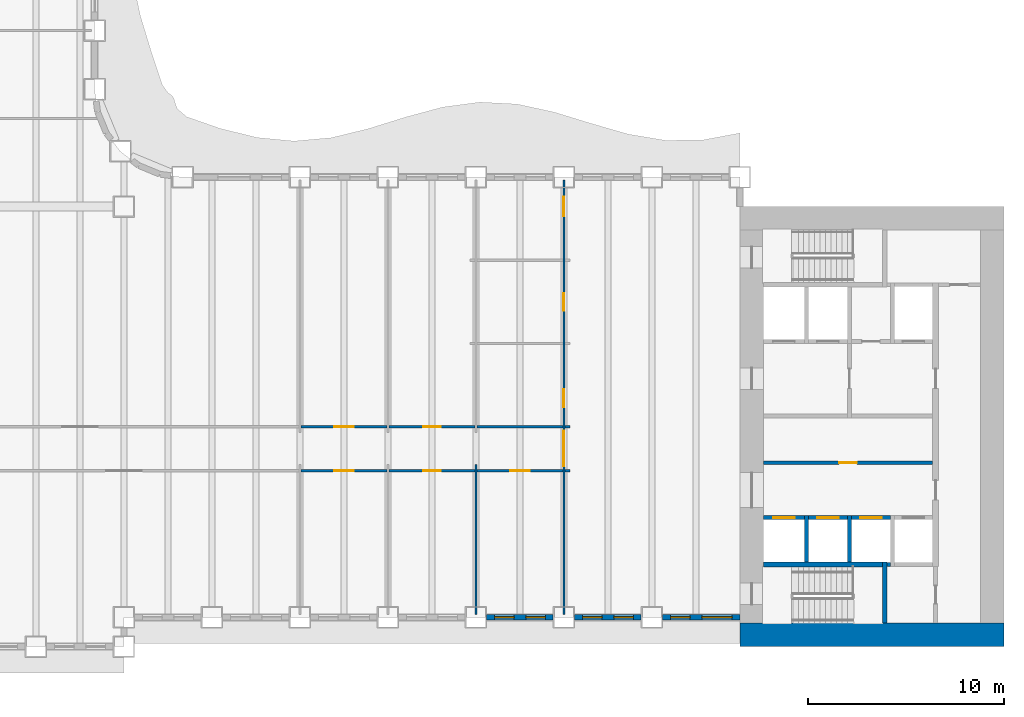
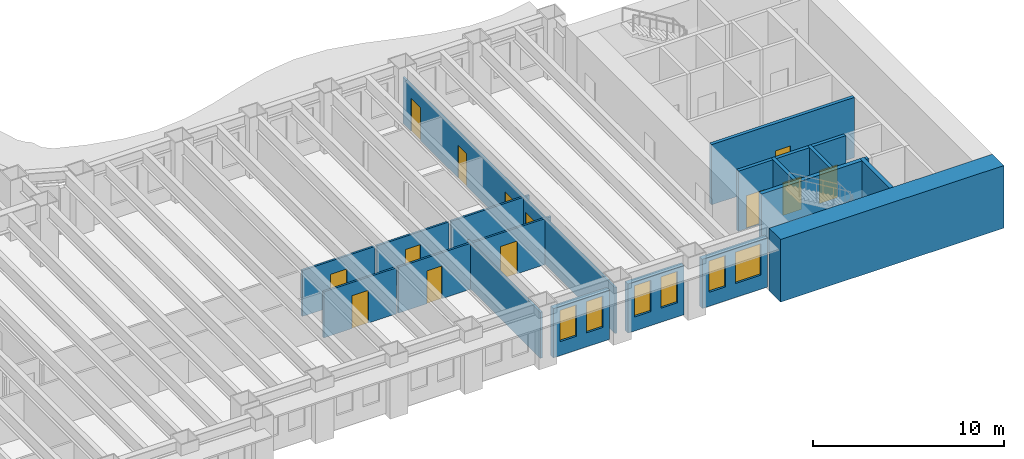
# One storey, part 5 of 15: 23 walls, 13 doors, 6 windows, 19 openings.
"""IFC4 building model written with IfcOpenShell, lengths in metres."""

from ifc_helpers import new_model, si_unit, direction, frame, frame_2d, origin, place, context, subcontext, project, spatial, rectangle, extrude, material, layer, layer_set, type_object, element, fill, save


model = new_model("IFC4")

# Units and contexts
model_context = context("Model", 3, precision=1e-05, world=origin(), true_north=direction((0.0, 1.0)))
body_context = subcontext(model_context, "Body", "Model", "MODEL_VIEW")
ifc_project = project(units=[si_unit("LENGTHUNIT", "METRE"), si_unit("AREAUNIT", "SQUARE_METRE"), si_unit("VOLUMEUNIT", "CUBIC_METRE"), si_unit("PLANEANGLEUNIT", "RADIAN"), si_unit("MASSUNIT", "GRAM", prefix="KILO")], contexts=[model_context])

# Site, building, storey
site_placement = place(None, origin())
site = spatial("IfcSite", under=ifc_project, at=site_placement, CompositionType="ELEMENT")
building_placement = place(site_placement, origin())
building = spatial("IfcBuilding", under=site, at=building_placement, Name="Sennacour Bend Tower", CompositionType="ELEMENT")
storey_placement = place(building_placement, frame((0.0, 0.0, 61.0)))
storey = spatial("IfcBuildingStorey", under=building, at=storey_placement, Name="L13", CompositionType="ELEMENT", Elevation=61.0)

# Walls
ifc_material_1 = material(Name="Concrete C80/95", Category="concrete")
ifc_layer_1 = layer(ifc_material_1, 1.199951171875, Name="Concrete C80/95", Category="concrete")
ifc_layer_set_1 = layer_set([ifc_layer_1], Name="Concrete C80/95")
wall_type_1 = type_object("IfcWallType", Name="Core wall 1200 C80/95", PredefinedType="SHEAR", material=ifc_layer_set_1)
wall_1_placement = place(storey_placement, frame((67.5, 0.60009765625, -0.14990234375), z_axis=(0.0, 0.0, 1.0), x_axis=(-1.0, 0.0, 0.0)))
element("IfcWall", 1, at=wall_1_placement, inside=storey, type_object=wall_type_1, Name="Core A wall L13 S", PredefinedType="SHEAR", context=body_context, shape_type="SweptSolid", body=[
    extrude(rectangle(XDim=13.5, YDim=1.199951171875, at=frame_2d((6.75, 0.0))), origin(), (0.0, 0.0, 1.0), 4.0),
])
ifc_material_2 = material(Name="Plasterboard partition on steel studs", Category="steel")
ifc_layer_2 = layer(ifc_material_2, 0.1201171875, Name="Plasterboard partition on steel studs", Category="steel")
ifc_layer_set_2 = layer_set([ifc_layer_2], Name="Plasterboard partition on steel studs")
wall_type_2 = type_object("IfcWallType", Name="Partition 120", PredefinedType="PARTITIONING", material=ifc_layer_set_2)
wall_2_placement = place(storey_placement, frame((40.5, 1.64990234375, 0.0), z_axis=(0.0, 0.0, 1.0), x_axis=(0.0, 1.0, 0.0)))
element("IfcWall", 2, at=wall_2_placement, inside=storey, type_object=wall_type_2, Name="P-L13-W027a", PredefinedType="PARTITIONING", context=body_context, shape_type="SweptSolid", body=[
    extrude(rectangle(XDim=7.650146484375, YDim=0.1201171875, at=frame_2d((3.8251953125, 0.0))), origin(), (0.0, 0.0, 1.0), 2.93798828125),
])

# Wall, opening, door
wall_3_placement = place(storey_placement, frame((31.56005859375, 9.0, 0.0), z_axis=(0.0, 0.0, 1.0), x_axis=(1.0, 0.0, 0.0)))
wall_3 = element("IfcWall", 3, at=wall_3_placement, inside=storey, type_object=wall_type_2, Name="P-L13-W051ac", PredefinedType="PARTITIONING", context=body_context, shape_type="SweptSolid", body=[
    extrude(rectangle(XDim=4.3798828125, YDim=0.1201171875, at=frame_2d((2.18994140625, 0.0))), origin(), (0.0, 0.0, 1.0), 2.93798828125),
])
opening_1_placement = place(wall_3_placement, frame((1.68994140625, 0.0, 0.0)))
opening_1 = element("IfcOpeningElement", 4, at=opening_1_placement, cuts=wall_3, Name="Opening MD2", PredefinedType="OPENING", context=body_context, shape_type="SweptSolid", body=[
    extrude(rectangle(XDim=1.0, YDim=2.10009765625, at=frame_2d((0.5, 1.050048828125))), frame((0.0, 0.070068359375, 0.0), z_axis=(0.0, -1.0, 0.0), x_axis=(1.0, 0.0, 0.0)), (0.0, 0.0, 1.0), 0.14013671875),
])
ifc_material_3 = material(Name="Timber", Category="wood")
door_type_1 = type_object("IfcDoorType", Name="DR-MEETING-1000", OperationType="NOTDEFINED", PredefinedType="DOOR", material=ifc_material_3)
door_1_placement = place(opening_1_placement, origin())
door_1 = element("IfcDoor", 5, at=door_1_placement, inside=storey, type_object=door_type_1, Name="Door", OperationType="SINGLE_SWING_LEFT", OverallHeight=2.10009765625, OverallWidth=1.0, PredefinedType="DOOR", context=body_context, shape_type="SweptSolid", body=[
    extrude(rectangle(XDim=1.0, YDim=2.10009765625, at=frame_2d((0.5, 1.050048828125))), frame((0.0, 0.02490234375, 0.0), z_axis=(0.0, -1.0, 0.0), x_axis=(1.0, 0.0, 0.0)), (0.0, 0.0, 1.0), 0.050048828125),
])
fill(opening_1, door_1)

wall_4_placement = place(storey_placement, frame((40.56005859375, 9.0, 0.0), z_axis=(0.0, 0.0, 1.0), x_axis=(1.0, 0.0, 0.0)))
wall_4 = element("IfcWall", 6, at=wall_4_placement, inside=storey, type_object=wall_type_2, Name="P-L13-W051ae", PredefinedType="PARTITIONING", context=body_context, shape_type="SweptSolid", body=[
    extrude(rectangle(XDim=4.3798828125, YDim=0.1201171875, at=frame_2d((2.18994140625, 0.0))), origin(), (0.0, 0.0, 1.0), 2.93798828125),
])
opening_2_placement = place(wall_4_placement, frame((1.68994140625, 0.0, 0.0)))
opening_2 = element("IfcOpeningElement", 7, at=opening_2_placement, cuts=wall_4, Name="Opening OD2", PredefinedType="OPENING", context=body_context, shape_type="SweptSolid", body=[
    extrude(rectangle(XDim=1.0, YDim=2.10009765625, at=frame_2d((0.5, 1.050048828125))), frame((0.0, 0.070068359375, 0.0), z_axis=(0.0, -1.0, 0.0), x_axis=(1.0, 0.0, 0.0)), (0.0, 0.0, 1.0), 0.14013671875),
])
door_type_2 = type_object("IfcDoorType", Name="DR-OFFICE-1000", OperationType="NOTDEFINED", PredefinedType="DOOR", material=ifc_material_3)
door_2_placement = place(opening_2_placement, origin())
door_2 = element("IfcDoor", 8, at=door_2_placement, inside=storey, type_object=door_type_2, Name="Door", OperationType="SINGLE_SWING_LEFT", OverallHeight=2.10009765625, OverallWidth=1.0, PredefinedType="DOOR", context=body_context, shape_type="SweptSolid", body=[
    extrude(rectangle(XDim=1.0, YDim=2.10009765625, at=frame_2d((0.5, 1.050048828125))), frame((0.0, 0.02490234375, 0.0), z_axis=(0.0, -1.0, 0.0), x_axis=(1.0, 0.0, 0.0)), (0.0, 0.0, 1.0), 0.050048828125),
])
fill(opening_2, door_2)

# Wall
wall_5_placement = place(storey_placement, frame((45.06005859375, 9.0, 0.0), z_axis=(0.0, 0.0, 1.0), x_axis=(1.0, 0.0, 0.0)))
element("IfcWall", 9, at=wall_5_placement, inside=storey, type_object=wall_type_2, Name="P-L13-W051af", PredefinedType="PARTITIONING", context=body_context, shape_type="SweptSolid", body=[
    extrude(rectangle(XDim=0.239990234375, YDim=0.1201171875, at=frame_2d((0.1201171875, 0.0))), origin(), (0.0, 0.0, 1.0), 2.93798828125),
])

# Wall, opening, door
wall_6_placement = place(storey_placement, frame((31.56005859375, 11.25, 0.0), z_axis=(0.0, 0.0, 1.0), x_axis=(1.0, 0.0, 0.0)))
wall_6 = element("IfcWall", 10, at=wall_6_placement, inside=storey, type_object=wall_type_2, Name="P-L13-W053ad", PredefinedType="PARTITIONING", context=body_context, shape_type="SweptSolid", body=[
    extrude(rectangle(XDim=4.3798828125, YDim=0.1201171875, at=frame_2d((2.18994140625, 0.0))), origin(), (0.0, 0.0, 1.0), 2.93798828125),
])
opening_3_placement = place(wall_6_placement, frame((1.68994140625, 0.0, 0.0)))
opening_3 = element("IfcOpeningElement", 11, at=opening_3_placement, cuts=wall_6, Name="Opening OD2", PredefinedType="OPENING", context=body_context, shape_type="SweptSolid", body=[
    extrude(rectangle(XDim=1.0, YDim=2.10009765625, at=frame_2d((0.5, 1.050048828125))), frame((0.0, 0.070068359375, 0.0), z_axis=(0.0, -1.0, 0.0), x_axis=(1.0, 0.0, 0.0)), (0.0, 0.0, 1.0), 0.14013671875),
])
door_3_placement = place(opening_3_placement, origin())
door_3 = element("IfcDoor", 12, at=door_3_placement, inside=storey, type_object=door_type_2, Name="Door", OperationType="SINGLE_SWING_LEFT", OverallHeight=2.10009765625, OverallWidth=1.0, PredefinedType="DOOR", context=body_context, shape_type="SweptSolid", body=[
    extrude(rectangle(XDim=1.0, YDim=2.10009765625, at=frame_2d((0.5, 1.050048828125))), frame((0.0, 0.02490234375, 0.0), z_axis=(0.0, -1.0, 0.0), x_axis=(1.0, 0.0, 0.0)), (0.0, 0.0, 1.0), 0.050048828125),
])
fill(opening_3, door_3)

# Walls
wall_7_placement = place(storey_placement, frame((40.56005859375, 11.25, 0.0), z_axis=(0.0, 0.0, 1.0), x_axis=(1.0, 0.0, 0.0)))
element("IfcWall", 13, at=wall_7_placement, inside=storey, type_object=wall_type_2, Name="P-L13-W053af", PredefinedType="PARTITIONING", context=body_context, shape_type="SweptSolid", body=[
    extrude(rectangle(XDim=4.3798828125, YDim=0.1201171875, at=frame_2d((2.18994140625, 0.0))), origin(), (0.0, 0.0, 1.0), 2.93798828125),
])
wall_8_placement = place(storey_placement, frame((45.06005859375, 11.25, 0.0), z_axis=(0.0, 0.0, 1.0), x_axis=(1.0, 0.0, 0.0)))
element("IfcWall", 14, at=wall_8_placement, inside=storey, type_object=wall_type_2, Name="P-L13-W053ag", PredefinedType="PARTITIONING", context=body_context, shape_type="SweptSolid", body=[
    extrude(rectangle(XDim=0.239990234375, YDim=0.1201171875, at=frame_2d((0.1201171875, 0.0))), origin(), (0.0, 0.0, 1.0), 2.93798828125),
])

# Wall, openings, doors
ifc_layer_3 = layer(ifc_material_2, 0.1201171875, Name="Plasterboard partition on steel studs", Category="steel")
ifc_layer_set_3 = layer_set([ifc_layer_3], Name="Plasterboard partition on steel studs")
wall_type_3 = type_object("IfcWallType", Name="Partition 120 EI 30", PredefinedType="PARTITIONING", material=ifc_layer_set_3)
wall_9_placement = place(storey_placement, frame((45.0, 1.64990234375, 0.0), z_axis=(0.0, 0.0, 1.0), x_axis=(0.0, 1.0, 0.0)))
wall_9 = element("IfcWall", 15, at=wall_9_placement, inside=storey, type_object=wall_type_3, Name="P-L13-W029a", PredefinedType="PARTITIONING", context=body_context, shape_type="SweptSolid", body=[
    extrude(rectangle(XDim=22.2001953125, YDim=0.1201171875, at=frame_2d((11.10009765625, 0.0))), origin(), (0.0, 0.0, 1.0), 2.93798828125),
])
opening_4_placement = place(wall_9_placement, frame((7.5751953125, 0.0, 0.0)))
opening_4 = element("IfcOpeningElement", 16, at=opening_4_placement, cuts=wall_9, Name="Opening KD3", PredefinedType="OPENING", context=body_context, shape_type="SweptSolid", body=[
    extrude(rectangle(XDim=1.800048828125, YDim=2.10009765625, at=frame_2d((0.89990234375, 1.050048828125))), frame((0.0, 0.070068359375, 0.0), z_axis=(0.0, -1.0, 0.0), x_axis=(1.0, 0.0, 0.0)), (0.0, 0.0, 1.0), 0.14013671875),
])
opening_5_placement = place(wall_9_placement, frame((10.60009765625, 0.0, 0.0)))
opening_5 = element("IfcOpeningElement", 17, at=opening_5_placement, cuts=wall_9, Name="Opening WD", PredefinedType="OPENING", context=body_context, shape_type="SweptSolid", body=[
    extrude(rectangle(XDim=0.89990234375, YDim=2.10009765625, at=frame_2d((0.449951171875, 1.050048828125))), frame((0.0, 0.070068359375, 0.0), z_axis=(0.0, -1.0, 0.0), x_axis=(1.0, 0.0, 0.0)), (0.0, 0.0, 1.0), 0.14013671875),
])
opening_6_placement = place(wall_9_placement, frame((15.525146484375, 0.0, 0.0)))
opening_6 = element("IfcOpeningElement", 18, at=opening_6_placement, cuts=wall_9, Name="Opening WD", PredefinedType="OPENING", context=body_context, shape_type="SweptSolid", body=[
    extrude(rectangle(XDim=0.89990234375, YDim=2.10009765625, at=frame_2d((0.449951171875, 1.050048828125))), frame((0.0, 0.070068359375, 0.0), z_axis=(0.0, -1.0, 0.0), x_axis=(1.0, 0.0, 0.0)), (0.0, 0.0, 1.0), 0.14013671875),
])
opening_7_placement = place(wall_9_placement, frame((20.35009765625, 0.0, 0.0)))
opening_7 = element("IfcOpeningElement", 19, at=opening_7_placement, cuts=wall_9, Name="Opening AD", PredefinedType="OPENING", context=body_context, shape_type="SweptSolid", body=[
    extrude(rectangle(XDim=1.0, YDim=2.10009765625, at=frame_2d((0.5, 1.050048828125))), frame((0.0, 0.070068359375, 0.0), z_axis=(0.0, -1.0, 0.0), x_axis=(1.0, 0.0, 0.0)), (0.0, 0.0, 1.0), 0.14013671875),
])
door_type_3 = type_object("IfcDoorType", Name="DR-ACC-WC-1000", OperationType="NOTDEFINED", PredefinedType="DOOR", material=ifc_material_3)
door_4_placement = place(opening_7_placement, origin())
door_4 = element("IfcDoor", 20, at=door_4_placement, inside=storey, type_object=door_type_3, Name="Door", OperationType="SINGLE_SWING_RIGHT", OverallHeight=2.10009765625, OverallWidth=1.0, PredefinedType="DOOR", context=body_context, shape_type="SweptSolid", body=[
    extrude(rectangle(XDim=1.0, YDim=2.10009765625, at=frame_2d((0.5, 1.050048828125))), frame((0.0, 0.02490234375, 0.0), z_axis=(0.0, -1.0, 0.0), x_axis=(1.0, 0.0, 0.0)), (0.0, 0.0, 1.0), 0.050048828125),
])
fill(opening_7, door_4)
ifc_material_4 = material(Name="Painted steel", Category="steel")
door_type_4 = type_object("IfcDoorType", Name="DR-CORRIDOR-1800", OperationType="NOTDEFINED", PredefinedType="DOOR", material=ifc_material_4)
door_5_placement = place(opening_4_placement, origin())
door_5 = element("IfcDoor", 21, at=door_5_placement, inside=storey, type_object=door_type_4, Name="Door", OperationType="DOUBLE_DOOR_SINGLE_SWING", OverallHeight=2.10009765625, OverallWidth=1.800048828125, PredefinedType="DOOR", context=body_context, shape_type="SweptSolid", body=[
    extrude(rectangle(XDim=1.800048828125, YDim=2.10009765625, at=frame_2d((0.89990234375, 1.050048828125))), frame((0.0, 0.02490234375, 0.0), z_axis=(0.0, -1.0, 0.0), x_axis=(1.0, 0.0, 0.0)), (0.0, 0.0, 1.0), 0.050048828125),
])
fill(opening_4, door_5)
door_type_5 = type_object("IfcDoorType", Name="DR-WC-900", OperationType="NOTDEFINED", PredefinedType="DOOR", material=ifc_material_3)
door_6_placement = place(opening_5_placement, origin())
door_6 = element("IfcDoor", 22, at=door_6_placement, inside=storey, type_object=door_type_5, Name="Door", OperationType="SINGLE_SWING_LEFT", OverallHeight=2.10009765625, OverallWidth=0.89990234375, PredefinedType="DOOR", context=body_context, shape_type="SweptSolid", body=[
    extrude(rectangle(XDim=0.89990234375, YDim=2.10009765625, at=frame_2d((0.449951171875, 1.050048828125))), frame((0.0, 0.02490234375, 0.0), z_axis=(0.0, -1.0, 0.0), x_axis=(1.0, 0.0, 0.0)), (0.0, 0.0, 1.0), 0.050048828125),
])
fill(opening_5, door_6)
door_7_placement = place(opening_6_placement, origin())
door_7 = element("IfcDoor", 23, at=door_7_placement, inside=storey, type_object=door_type_5, Name="Door", OperationType="SINGLE_SWING_RIGHT", OverallHeight=2.10009765625, OverallWidth=0.89990234375, PredefinedType="DOOR", context=body_context, shape_type="SweptSolid", body=[
    extrude(rectangle(XDim=0.89990234375, YDim=2.10009765625, at=frame_2d((0.449951171875, 1.050048828125))), frame((0.0, 0.02490234375, 0.0), z_axis=(0.0, -1.0, 0.0), x_axis=(1.0, 0.0, 0.0)), (0.0, 0.0, 1.0), 0.050048828125),
])
fill(opening_6, door_7)

# Wall, opening, door
ifc_layer_4 = layer(ifc_material_2, 0.1201171875, Name="Plasterboard partition on steel studs", Category="steel")
ifc_layer_set_4 = layer_set([ifc_layer_4], Name="Plasterboard partition on steel studs")
wall_type_4 = type_object("IfcWallType", Name="Partition 120 EI 60", PredefinedType="PARTITIONING", material=ifc_layer_set_4)
wall_10_placement = place(storey_placement, frame((36.06005859375, 9.0, 0.0), z_axis=(0.0, 0.0, 1.0), x_axis=(1.0, 0.0, 0.0)))
wall_10 = element("IfcWall", 24, at=wall_10_placement, inside=storey, type_object=wall_type_4, Name="P-L13-W051ad", PredefinedType="PARTITIONING", context=body_context, shape_type="SweptSolid", body=[
    extrude(rectangle(XDim=4.3798828125, YDim=0.1201171875, at=frame_2d((2.18994140625, 0.0))), origin(), (0.0, 0.0, 1.0), 2.93798828125),
])
opening_8_placement = place(wall_10_placement, frame((1.739990234375, 0.0, 0.0)))
opening_8 = element("IfcOpeningElement", 25, at=opening_8_placement, cuts=wall_10, Name="Opening SV", PredefinedType="OPENING", context=body_context, shape_type="SweptSolid", body=[
    extrude(rectangle(XDim=0.89990234375, YDim=2.10009765625, at=frame_2d((0.449951171875, 1.050048828125))), frame((0.0, 0.070068359375, 0.0), z_axis=(0.0, -1.0, 0.0), x_axis=(1.0, 0.0, 0.0)), (0.0, 0.0, 1.0), 0.14013671875),
])
door_type_6 = type_object("IfcDoorType", Name="DR-SERVICE-900", OperationType="NOTDEFINED", PredefinedType="DOOR", material=ifc_material_4)
door_8_placement = place(opening_8_placement, origin())
door_8 = element("IfcDoor", 26, at=door_8_placement, inside=storey, type_object=door_type_6, Name="Door", OperationType="SINGLE_SWING_LEFT", OverallHeight=2.10009765625, OverallWidth=0.89990234375, PredefinedType="DOOR", context=body_context, shape_type="SweptSolid", body=[
    extrude(rectangle(XDim=0.89990234375, YDim=2.10009765625, at=frame_2d((0.449951171875, 1.050048828125))), frame((0.0, 0.02490234375, 0.0), z_axis=(0.0, -1.0, 0.0), x_axis=(1.0, 0.0, 0.0)), (0.0, 0.0, 1.0), 0.050048828125),
])
fill(opening_8, door_8)

wall_11_placement = place(storey_placement, frame((36.06005859375, 11.25, 0.0), z_axis=(0.0, 0.0, 1.0), x_axis=(1.0, 0.0, 0.0)))
wall_11 = element("IfcWall", 27, at=wall_11_placement, inside=storey, type_object=wall_type_4, Name="P-L13-W053ae", PredefinedType="PARTITIONING", context=body_context, shape_type="SweptSolid", body=[
    extrude(rectangle(XDim=4.3798828125, YDim=0.1201171875, at=frame_2d((2.18994140625, 0.0))), origin(), (0.0, 0.0, 1.0), 2.93798828125),
])
opening_9_placement = place(wall_11_placement, frame((1.739990234375, 0.0, 0.0)))
opening_9 = element("IfcOpeningElement", 28, at=opening_9_placement, cuts=wall_11, Name="Opening SV", PredefinedType="OPENING", context=body_context, shape_type="SweptSolid", body=[
    extrude(rectangle(XDim=0.89990234375, YDim=2.10009765625, at=frame_2d((0.449951171875, 1.050048828125))), frame((0.0, 0.070068359375, 0.0), z_axis=(0.0, -1.0, 0.0), x_axis=(1.0, 0.0, 0.0)), (0.0, 0.0, 1.0), 0.14013671875),
])
door_9_placement = place(opening_9_placement, origin())
door_9 = element("IfcDoor", 29, at=door_9_placement, inside=storey, type_object=door_type_6, Name="Door", OperationType="SINGLE_SWING_LEFT", OverallHeight=2.10009765625, OverallWidth=0.89990234375, PredefinedType="DOOR", context=body_context, shape_type="SweptSolid", body=[
    extrude(rectangle(XDim=0.89990234375, YDim=2.10009765625, at=frame_2d((0.449951171875, 1.050048828125))), frame((0.0, 0.02490234375, 0.0), z_axis=(0.0, -1.0, 0.0), x_axis=(1.0, 0.0, 0.0)), (0.0, 0.0, 1.0), 0.050048828125),
])
fill(opening_9, door_9)

ifc_material_5 = material(Name="Fire-rated plasterboard partition on steel studs", Category="steel")
ifc_layer_5 = layer(ifc_material_5, 0.199951171875, Name="Fire-rated plasterboard partition on steel studs", Category="steel")
ifc_layer_set_5 = layer_set([ifc_layer_5], Name="Fire-rated plasterboard partition on steel studs")
wall_type_5 = type_object("IfcWallType", Name="Rated partition 200", PredefinedType="PARTITIONING", material=ifc_layer_set_5)
wall_12_placement = place(storey_placement, frame((55.199951171875, 9.39990234375, 0.0), z_axis=(0.0, 0.0, 1.0), x_axis=(1.0, 0.0, 0.0)))
wall_12 = element("IfcWall", 30, at=wall_12_placement, inside=storey, type_object=wall_type_5, Name="P-L13-W052", PredefinedType="PARTITIONING", context=body_context, shape_type="SweptSolid", body=[
    extrude(rectangle(XDim=8.650146484375, YDim=0.199951171875, at=frame_2d((4.3251953125, 0.0))), origin(), (0.0, 0.0, 1.0), 3.85009765625),
])
opening_10_placement = place(wall_12_placement, frame((3.875, 0.0, 0.0)))
opening_10 = element("IfcOpeningElement", 31, at=opening_10_placement, cuts=wall_12, Name="Opening SV", PredefinedType="OPENING", context=body_context, shape_type="SweptSolid", body=[
    extrude(rectangle(XDim=0.89990234375, YDim=2.10009765625, at=frame_2d((0.449951171875, 1.050048828125))), frame((0.0, 0.10986328125, 0.0), z_axis=(0.0, -1.0, 0.0), x_axis=(1.0, 0.0, 0.0)), (0.0, 0.0, 1.0), 0.219970703125),
])
door_10_placement = place(opening_10_placement, origin())
door_10 = element("IfcDoor", 32, at=door_10_placement, inside=storey, type_object=door_type_6, Name="Door", OperationType="SINGLE_SWING_LEFT", OverallHeight=2.10009765625, OverallWidth=0.89990234375, PredefinedType="DOOR", context=body_context, shape_type="SweptSolid", body=[
    extrude(rectangle(XDim=0.89990234375, YDim=2.10009765625, at=frame_2d((0.449951171875, 1.050048828125))), frame((0.0, 0.02490234375, 0.0), z_axis=(0.0, -1.0, 0.0), x_axis=(1.0, 0.0, 0.0)), (0.0, 0.0, 1.0), 0.050048828125),
])
fill(opening_10, door_10)

# Wall, openings, windows
ifc_material_6 = material(Name="Warm limestone cladding", Category="masonry")
ifc_layer_6 = layer(ifc_material_6, 0.050048828125, Name="Warm limestone cladding", Category="masonry")
ifc_material_7 = material(Name="Precast concrete C40/50", Category="concrete")
ifc_layer_7 = layer(ifc_material_7, 0.25, Name="Precast concrete C40/50", Category="concrete")
ifc_layer_set_6 = layer_set([ifc_layer_6, ifc_layer_7], Name="Precast concrete C40/50 with limestone cladding")
wall_type_6 = type_object("IfcWallType", Name="STONE-CLAD PRECAST SPANDREL 300", PredefinedType="STANDARD", material=ifc_layer_set_6)
wall_13_placement = place(storey_placement, frame((41.050048828125, 1.5, 0.0), z_axis=(0.0, 0.0, 1.0), x_axis=(1.0, 0.0, 0.0)))
wall_13 = element("IfcWall", 33, at=wall_13_placement, inside=storey, type_object=wall_type_6, Name="Stone spandrel and pier wall L13 02.04", PredefinedType="STANDARD", context=body_context, shape_type="SweptSolid", body=[
    extrude(rectangle(XDim=3.39990234375, YDim=0.300048828125, at=frame_2d((1.699951171875, 0.0))), origin(), (0.0, 0.0, 1.0), 3.14404296875),
])
opening_11_placement = place(wall_13_placement, frame((0.39990234375, 0.0, 0.89990234375)))
opening_11 = element("IfcOpeningElement", 34, at=opening_11_placement, cuts=wall_13, Name="Opening W8", PredefinedType="OPENING", context=body_context, shape_type="SweptSolid", body=[
    extrude(rectangle(XDim=1.0, YDim=2.0, at=frame_2d((0.5, 1.0))), frame((0.0, 0.16015625, 0.0), z_axis=(0.0, -1.0, 0.0), x_axis=(1.0, 0.0, 0.0)), (0.0, 0.0, 1.0), 0.320068359375),
])
opening_12_placement = place(wall_13_placement, frame((2.0, 0.0, 0.89990234375)))
opening_12 = element("IfcOpeningElement", 35, at=opening_12_placement, cuts=wall_13, Name="Opening W8", PredefinedType="OPENING", context=body_context, shape_type="SweptSolid", body=[
    extrude(rectangle(XDim=1.0, YDim=2.0, at=frame_2d((0.5, 1.0))), frame((0.0, 0.16015625, 0.0), z_axis=(0.0, -1.0, 0.0), x_axis=(1.0, 0.0, 0.0)), (0.0, 0.0, 1.0), 0.320068359375),
])
ifc_material_8 = material(Name="Clear low-emissivity glass", Category="glass")
window_type_1 = type_object("IfcWindowType", Name="WIN-RIBBON-1000x2000", PartitioningType="SINGLE_PANEL", PredefinedType="WINDOW", material=ifc_material_8)
window_1_placement = place(opening_11_placement, origin())
window_1 = element("IfcWindow", 36, at=window_1_placement, inside=storey, type_object=window_type_1, Name="Ribbon window L13 02.04.0", OverallHeight=2.0, OverallWidth=1.0, PartitioningType="SINGLE_PANEL", PredefinedType="WINDOW", context=body_context, shape_type="SweptSolid", body=[
    extrude(rectangle(XDim=1.0, YDim=2.0, at=frame_2d((0.5, 1.0))), frame((0.0, 0.030029296875, 0.0), z_axis=(0.0, -1.0, 0.0), x_axis=(1.0, 0.0, 0.0)), (0.0, 0.0, 1.0), 0.06005859375),
])
fill(opening_11, window_1)
window_2_placement = place(opening_12_placement, origin())
window_2 = element("IfcWindow", 37, at=window_2_placement, inside=storey, type_object=window_type_1, Name="Ribbon window L13 02.04.1", OverallHeight=2.0, OverallWidth=1.0, PartitioningType="SINGLE_PANEL", PredefinedType="WINDOW", context=body_context, shape_type="SweptSolid", body=[
    extrude(rectangle(XDim=1.0, YDim=2.0, at=frame_2d((0.5, 1.0))), frame((0.0, 0.030029296875, 0.0), z_axis=(0.0, -1.0, 0.0), x_axis=(1.0, 0.0, 0.0)), (0.0, 0.0, 1.0), 0.06005859375),
])
fill(opening_12, window_2)

wall_14_placement = place(storey_placement, frame((45.550048828125, 1.5, 0.0), z_axis=(0.0, 0.0, 1.0), x_axis=(1.0, 0.0, 0.0)))
wall_14 = element("IfcWall", 38, at=wall_14_placement, inside=storey, type_object=wall_type_6, Name="Stone spandrel and pier wall L13 02.05", PredefinedType="STANDARD", context=body_context, shape_type="SweptSolid", body=[
    extrude(rectangle(XDim=3.39990234375, YDim=0.300048828125, at=frame_2d((1.699951171875, 0.0))), origin(), (0.0, 0.0, 1.0), 3.14404296875),
])
opening_13_placement = place(wall_14_placement, frame((0.39990234375, 0.0, 0.89990234375)))
opening_13 = element("IfcOpeningElement", 39, at=opening_13_placement, cuts=wall_14, Name="Opening W8", PredefinedType="OPENING", context=body_context, shape_type="SweptSolid", body=[
    extrude(rectangle(XDim=1.0, YDim=2.0, at=frame_2d((0.5, 1.0))), frame((0.0, 0.16015625, 0.0), z_axis=(0.0, -1.0, 0.0), x_axis=(1.0, 0.0, 0.0)), (0.0, 0.0, 1.0), 0.320068359375),
])
opening_14_placement = place(wall_14_placement, frame((2.0, 0.0, 0.89990234375)))
opening_14 = element("IfcOpeningElement", 40, at=opening_14_placement, cuts=wall_14, Name="Opening W8", PredefinedType="OPENING", context=body_context, shape_type="SweptSolid", body=[
    extrude(rectangle(XDim=1.0, YDim=2.0, at=frame_2d((0.5, 1.0))), frame((0.0, 0.16015625, 0.0), z_axis=(0.0, -1.0, 0.0), x_axis=(1.0, 0.0, 0.0)), (0.0, 0.0, 1.0), 0.320068359375),
])
window_3_placement = place(opening_13_placement, origin())
window_3 = element("IfcWindow", 41, at=window_3_placement, inside=storey, type_object=window_type_1, Name="Ribbon window L13 02.05.0", OverallHeight=2.0, OverallWidth=1.0, PartitioningType="SINGLE_PANEL", PredefinedType="WINDOW", context=body_context, shape_type="SweptSolid", body=[
    extrude(rectangle(XDim=1.0, YDim=2.0, at=frame_2d((0.5, 1.0))), frame((0.0, 0.030029296875, 0.0), z_axis=(0.0, -1.0, 0.0), x_axis=(1.0, 0.0, 0.0)), (0.0, 0.0, 1.0), 0.06005859375),
])
fill(opening_13, window_3)
window_4_placement = place(opening_14_placement, origin())
window_4 = element("IfcWindow", 42, at=window_4_placement, inside=storey, type_object=window_type_1, Name="Ribbon window L13 02.05.1", OverallHeight=2.0, OverallWidth=1.0, PartitioningType="SINGLE_PANEL", PredefinedType="WINDOW", context=body_context, shape_type="SweptSolid", body=[
    extrude(rectangle(XDim=1.0, YDim=2.0, at=frame_2d((0.5, 1.0))), frame((0.0, 0.030029296875, 0.0), z_axis=(0.0, -1.0, 0.0), x_axis=(1.0, 0.0, 0.0)), (0.0, 0.0, 1.0), 0.06005859375),
])
fill(opening_14, window_4)

wall_15_placement = place(storey_placement, frame((50.050048828125, 1.5, 0.0), z_axis=(0.0, 0.0, 1.0), x_axis=(1.0, 0.0, 0.0)))
wall_15 = element("IfcWall", 43, at=wall_15_placement, inside=storey, type_object=wall_type_6, Name="Stone spandrel and pier wall L13 02.06", PredefinedType="STANDARD", context=body_context, shape_type="SweptSolid", body=[
    extrude(rectangle(XDim=3.949951171875, YDim=0.300048828125, at=frame_2d((1.97509765625, 0.0))), origin(), (0.0, 0.0, 1.0), 3.14404296875),
])
opening_15_placement = place(wall_15_placement, frame((0.39990234375, 0.0, 0.89990234375)))
opening_15 = element("IfcOpeningElement", 44, at=opening_15_placement, cuts=wall_15, Name="Opening W8", PredefinedType="OPENING", context=body_context, shape_type="SweptSolid", body=[
    extrude(rectangle(XDim=1.0, YDim=2.0, at=frame_2d((0.5, 1.0))), frame((0.0, 0.16015625, 0.0), z_axis=(0.0, -1.0, 0.0), x_axis=(1.0, 0.0, 0.0)), (0.0, 0.0, 1.0), 0.320068359375),
])
opening_16_placement = place(wall_15_placement, frame((2.0, 0.0, 0.89990234375)))
opening_16 = element("IfcOpeningElement", 45, at=opening_16_placement, cuts=wall_15, Name="Opening W9", PredefinedType="OPENING", context=body_context, shape_type="SweptSolid", body=[
    extrude(rectangle(XDim=1.550048828125, YDim=2.0, at=frame_2d((0.77490234375, 1.0))), frame((0.0, 0.16015625, 0.0), z_axis=(0.0, -1.0, 0.0), x_axis=(1.0, 0.0, 0.0)), (0.0, 0.0, 1.0), 0.320068359375),
])
window_5_placement = place(opening_15_placement, origin())
window_5 = element("IfcWindow", 46, at=window_5_placement, inside=storey, type_object=window_type_1, Name="Ribbon window L13 02.06.0", OverallHeight=2.0, OverallWidth=1.0, PartitioningType="SINGLE_PANEL", PredefinedType="WINDOW", context=body_context, shape_type="SweptSolid", body=[
    extrude(rectangle(XDim=1.0, YDim=2.0, at=frame_2d((0.5, 1.0))), frame((0.0, 0.030029296875, 0.0), z_axis=(0.0, -1.0, 0.0), x_axis=(1.0, 0.0, 0.0)), (0.0, 0.0, 1.0), 0.06005859375),
])
fill(opening_15, window_5)
window_type_2 = type_object("IfcWindowType", Name="WIN-RIBBON-1550x2000", PartitioningType="SINGLE_PANEL", PredefinedType="WINDOW", material=ifc_material_8)
window_6_placement = place(opening_16_placement, origin())
window_6 = element("IfcWindow", 47, at=window_6_placement, inside=storey, type_object=window_type_2, Name="Ribbon window L13 02.06.1", OverallHeight=2.0, OverallWidth=1.550048828125, PartitioningType="SINGLE_PANEL", PredefinedType="WINDOW", context=body_context, shape_type="SweptSolid", body=[
    extrude(rectangle(XDim=1.550048828125, YDim=2.0, at=frame_2d((0.77490234375, 1.0))), frame((0.0, 0.030029296875, 0.0), z_axis=(0.0, -1.0, 0.0), x_axis=(1.0, 0.0, 0.0)), (0.0, 0.0, 1.0), 0.06005859375),
])
fill(opening_16, window_6)

# Walls
ifc_material_9 = material(Name="Concrete C50/60", Category="concrete")
ifc_layer_8 = layer(ifc_material_9, 0.199951171875, Name="Concrete C50/60", Category="concrete")
ifc_layer_set_7 = layer_set([ifc_layer_8], Name="Concrete C50/60")
wall_type_7 = type_object("IfcWallType", Name="Shaft wall 200", PredefinedType="SOLIDWALL", material=ifc_layer_set_7)
for number, where, z_axis, x_axis, name in (
    (48, (57.39990234375, 4.324951171875, 0.0), (0.0, 0.0, 1.0), (0.0, 1.0, 0.0), "P-L13-W031"),
    (49, (59.60009765625, 4.324951171875, 0.0), (0.0, 0.0, 1.0), (0.0, 1.0, 0.0), "P-L13-W033"),
):
    element("IfcWall", number, at=place(storey_placement, frame(where, z_axis=z_axis, x_axis=x_axis)), inside=storey, type_object=wall_type_7, Name=name, PredefinedType="SOLIDWALL", context=body_context, shape_type="SweptSolid", body=[
        extrude(rectangle(XDim=2.375, YDim=0.199951171875, at=frame_2d((1.1875, 0.0))), origin(), (0.0, 0.0, 1.0), 3.85009765625),
    ])
wall_16_placement = place(storey_placement, frame((61.52490234375, 4.199951171875, 0.0), z_axis=(0.0, 0.0, 1.0), x_axis=(1.0, 0.0, 0.0)))
element("IfcWall", 50, at=wall_16_placement, inside=storey, type_object=wall_type_7, Name="P-L13-W049a", PredefinedType="SOLIDWALL", context=body_context, shape_type="SweptSolid", body=[
    extrude(rectangle(XDim=0.175048828125, YDim=0.199951171875, at=frame_2d((0.08740234375, 0.0))), origin(), (0.0, 0.0, 1.0), 3.85009765625),
])

# Wall, opening, door
wall_17_placement = place(storey_placement, frame((55.199951171875, 6.60009765625, 0.0), z_axis=(0.0, 0.0, 1.0), x_axis=(1.0, 0.0, 0.0)))
wall_17 = element("IfcWall", 51, at=wall_17_placement, inside=storey, type_object=wall_type_7, Name="P-L13-W050a", PredefinedType="SOLIDWALL", context=body_context, shape_type="SweptSolid", body=[
    extrude(rectangle(XDim=2.10009765625, YDim=0.199951171875, at=frame_2d((1.050048828125, 0.0))), origin(), (0.0, 0.0, 1.0), 3.85009765625),
])
opening_17_placement = place(wall_17_placement, frame((0.5, 0.0, 0.011962890625)))
opening_17 = element("IfcOpeningElement", 52, at=opening_17_placement, cuts=wall_17, Name="Opening LD", PredefinedType="OPENING", context=body_context, shape_type="SweptSolid", body=[
    extrude(rectangle(XDim=1.10009765625, YDim=2.10009765625, at=frame_2d((0.550048828125, 1.050048828125))), frame((0.0, 0.10986328125, 0.0), z_axis=(0.0, -1.0, 0.0), x_axis=(1.0, 0.0, 0.0)), (0.0, 0.0, 1.0), 0.219970703125),
])
ifc_material_10 = material(Name="Stainless steel", Category="steel")
door_type_7 = type_object("IfcDoorType", Name="DR-LANDING-1100", OperationType="NOTDEFINED", PredefinedType="DOOR", material=ifc_material_10)
door_11_placement = place(opening_17_placement, origin())
door_11 = element("IfcDoor", 53, at=door_11_placement, inside=storey, type_object=door_type_7, Name="Lift landing door LA1", OperationType="SLIDING_TO_LEFT", OverallHeight=2.10009765625, OverallWidth=1.10009765625, PredefinedType="DOOR", context=body_context, shape_type="SweptSolid", body=[
    extrude(rectangle(XDim=1.10009765625, YDim=2.10009765625, at=frame_2d((0.550048828125, 1.050048828125))), frame((0.0, 0.02490234375, 0.0), z_axis=(0.0, -1.0, 0.0), x_axis=(1.0, 0.0, 0.0)), (0.0, 0.0, 1.0), 0.050048828125),
])
fill(opening_17, door_11)

wall_18_placement = place(storey_placement, frame((57.5, 6.60009765625, 0.0), z_axis=(0.0, 0.0, 1.0), x_axis=(1.0, 0.0, 0.0)))
wall_18 = element("IfcWall", 54, at=wall_18_placement, inside=storey, type_object=wall_type_7, Name="P-L13-W050b", PredefinedType="SOLIDWALL", context=body_context, shape_type="SweptSolid", body=[
    extrude(rectangle(XDim=2.0, YDim=0.199951171875, at=frame_2d((1.0, 0.0))), origin(), (0.0, 0.0, 1.0), 3.85009765625),
])
opening_18_placement = place(wall_18_placement, frame((0.449951171875, 0.0, 0.011962890625)))
opening_18 = element("IfcOpeningElement", 55, at=opening_18_placement, cuts=wall_18, Name="Opening LD", PredefinedType="OPENING", context=body_context, shape_type="SweptSolid", body=[
    extrude(rectangle(XDim=1.10009765625, YDim=2.10009765625, at=frame_2d((0.550048828125, 1.050048828125))), frame((0.0, 0.10986328125, 0.0), z_axis=(0.0, -1.0, 0.0), x_axis=(1.0, 0.0, 0.0)), (0.0, 0.0, 1.0), 0.219970703125),
])
door_12_placement = place(opening_18_placement, origin())
door_12 = element("IfcDoor", 56, at=door_12_placement, inside=storey, type_object=door_type_7, Name="Lift landing door LA2", OperationType="SLIDING_TO_RIGHT", OverallHeight=2.10009765625, OverallWidth=1.10009765625, PredefinedType="DOOR", context=body_context, shape_type="SweptSolid", body=[
    extrude(rectangle(XDim=1.10009765625, YDim=2.10009765625, at=frame_2d((0.550048828125, 1.050048828125))), frame((0.0, 0.02490234375, 0.0), z_axis=(0.0, -1.0, 0.0), x_axis=(1.0, 0.0, 0.0)), (0.0, 0.0, 1.0), 0.050048828125),
])
fill(opening_18, door_12)

wall_19_placement = place(storey_placement, frame((59.699951171875, 6.60009765625, 0.0), z_axis=(0.0, 0.0, 1.0), x_axis=(1.0, 0.0, 0.0)))
wall_19 = element("IfcWall", 57, at=wall_19_placement, inside=storey, type_object=wall_type_7, Name="P-L13-W050c", PredefinedType="SOLIDWALL", context=body_context, shape_type="SweptSolid", body=[
    extrude(rectangle(XDim=2.0, YDim=0.199951171875, at=frame_2d((1.0, 0.0))), origin(), (0.0, 0.0, 1.0), 3.85009765625),
])
opening_19_placement = place(wall_19_placement, frame((0.449951171875, 0.0, 0.011962890625)))
opening_19 = element("IfcOpeningElement", 58, at=opening_19_placement, cuts=wall_19, Name="Opening LD", PredefinedType="OPENING", context=body_context, shape_type="SweptSolid", body=[
    extrude(rectangle(XDim=1.10009765625, YDim=2.10009765625, at=frame_2d((0.550048828125, 1.050048828125))), frame((0.0, 0.10986328125, 0.0), z_axis=(0.0, -1.0, 0.0), x_axis=(1.0, 0.0, 0.0)), (0.0, 0.0, 1.0), 0.219970703125),
])
door_13_placement = place(opening_19_placement, origin())
door_13 = element("IfcDoor", 59, at=door_13_placement, inside=storey, type_object=door_type_7, Name="Lift landing door LA3", OperationType="SLIDING_TO_LEFT", OverallHeight=2.10009765625, OverallWidth=1.10009765625, PredefinedType="DOOR", context=body_context, shape_type="SweptSolid", body=[
    extrude(rectangle(XDim=1.10009765625, YDim=2.10009765625, at=frame_2d((0.550048828125, 1.050048828125))), frame((0.0, 0.02490234375, 0.0), z_axis=(0.0, -1.0, 0.0), x_axis=(1.0, 0.0, 0.0)), (0.0, 0.0, 1.0), 0.050048828125),
])
fill(opening_19, door_13)

# Walls
ifc_material_11 = material(Name="Concrete C60/75", Category="concrete")
ifc_layer_9 = layer(ifc_material_11, 0.25, Name="Concrete C60/75", Category="concrete")
ifc_layer_set_8 = layer_set([ifc_layer_9], Name="Concrete C60/75")
wall_type_8 = type_object("IfcWallType", Name="Stair wall 250", PredefinedType="SHEAR", material=ifc_layer_set_8)
wall_20_placement = place(storey_placement, frame((61.39990234375, 1.199951171875, 0.0), z_axis=(0.0, 0.0, 1.0), x_axis=(0.0, 1.0, 0.0)))
element("IfcWall", 60, at=wall_20_placement, inside=storey, type_object=wall_type_8, Name="P-L13-W036", PredefinedType="SHEAR", context=body_context, shape_type="SweptSolid", body=[
    extrude(rectangle(XDim=3.125, YDim=0.25, at=frame_2d((1.5625, 0.0))), origin(), (0.0, 0.0, 1.0), 3.85009765625),
])
wall_21_placement = place(storey_placement, frame((55.199951171875, 4.199951171875, 0.0), z_axis=(0.0, 0.0, 1.0), x_axis=(1.0, 0.0, 0.0)))
element("IfcWall", 61, at=wall_21_placement, inside=storey, type_object=wall_type_8, Name="P-L13-W048", PredefinedType="SHEAR", context=body_context, shape_type="SweptSolid", body=[
    extrude(rectangle(XDim=6.074951171875, YDim=0.25, at=frame_2d((3.03759765625, 0.0))), origin(), (0.0, 0.0, 1.0), 3.85009765625),
])

save(model, "model.ifc")
